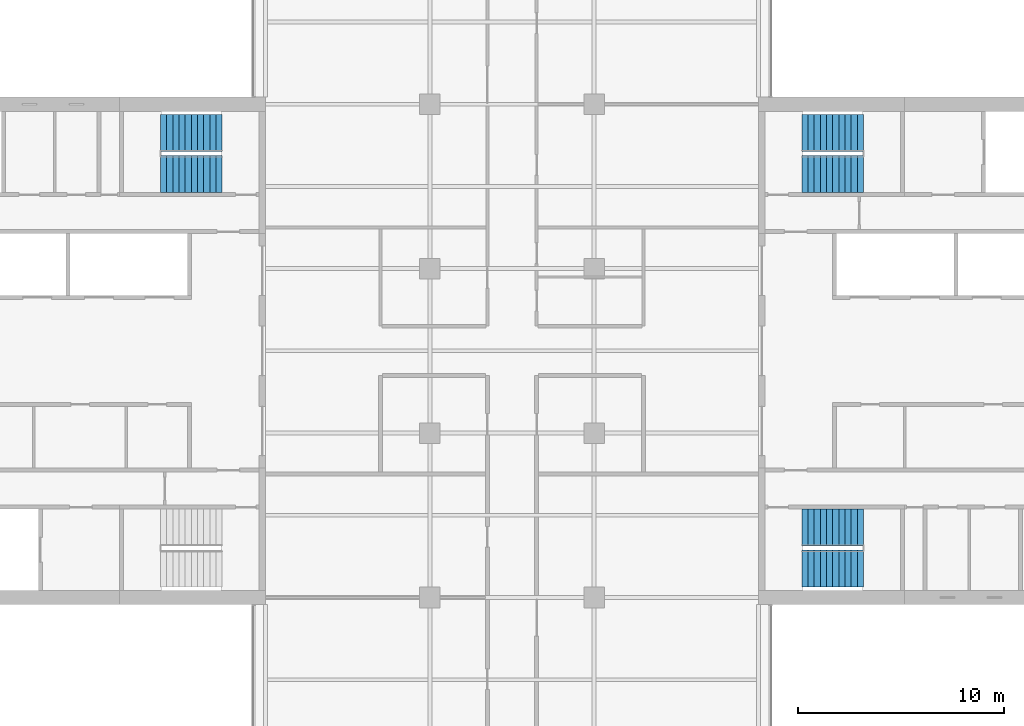
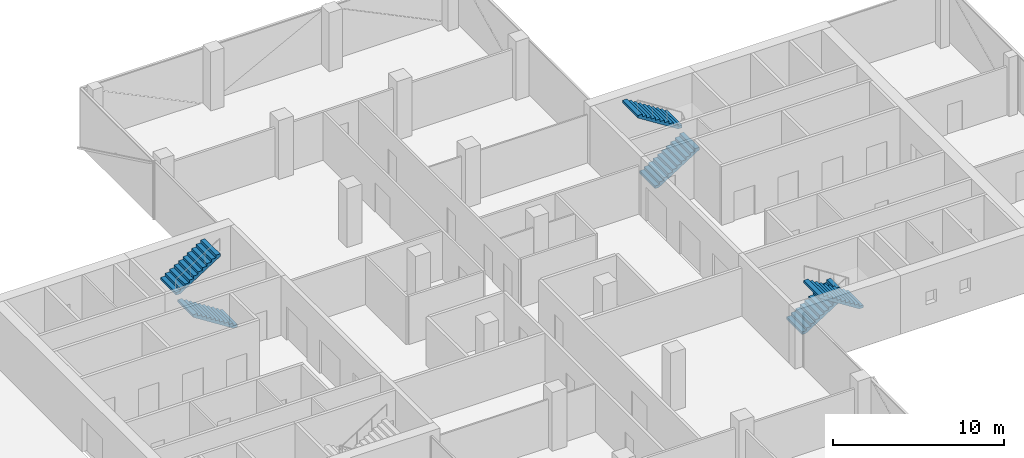
# One storey, part 17 of 22: 6 stair flights, 3 elements without a shape of their own.
"""IFC4 building model written with IfcOpenShell, lengths in metres."""

from ifc_helpers import new_model, si_unit, direction, frame, origin, place, context, subcontext, project, spatial, polyline, outline, extrude, material, type_object, element, aggregate, save


model = new_model("IFC4")

# Units and contexts
model_context = context("Model", 3, precision=1e-05, world=origin(), true_north=direction((0.0, 1.0)))
body_context = subcontext(model_context, "Body", "Model", "MODEL_VIEW")
ifc_project = project(units=[si_unit("LENGTHUNIT", "METRE"), si_unit("AREAUNIT", "SQUARE_METRE"), si_unit("VOLUMEUNIT", "CUBIC_METRE"), si_unit("PLANEANGLEUNIT", "RADIAN"), si_unit("MASSUNIT", "GRAM", prefix="KILO")], contexts=[model_context])

# Site, building, storey
site_placement = place(None, origin())
site = spatial("IfcSite", under=ifc_project, at=site_placement, CompositionType="ELEMENT")
building_placement = place(site_placement, origin())
building = spatial("IfcBuilding", under=site, at=building_placement, Name="Crosswind Convention Tower", CompositionType="ELEMENT")
storey_placement = place(building_placement, frame((0.0, 0.0, 146.300048828125)))
storey = spatial("IfcBuildingStorey", under=building, at=storey_placement, Name="L30", CompositionType="ELEMENT", Elevation=146.300048828125)

# Stair, stair flights
ifc_material = material(Name="Concrete C40/50", Category="concrete")
stair_type = type_object("IfcStairType", Name="Exit stair 1800 wide, 2 flights of 11 risers", PredefinedType="HALF_TURN_STAIR", material=ifc_material)
stair_1_placement = place(storey_placement, origin())
stair_1 = element("IfcStair", 1, at=stair_1_placement, inside=storey, type_object=stair_type, Name="Exit stair ST1 L30", ObjectType="ST5", PredefinedType="HALF_TURN_STAIR")
stair_flight_type = type_object("IfcStairFlightType", Name="Stair flight 1800 wide, 11 risers (SF4)", PredefinedType="STRAIGHT", material=ifc_material)
stair_flight_1_placement = place(storey_placement, frame((139.10009765625, 108.60009765625, 0.0), z_axis=(0.0, 0.0, 1.0), x_axis=(1.0, 0.0, 0.0)))
stair_flight_1 = element("IfcStairFlight", 2, at=stair_flight_1_placement, type_object=stair_flight_type, Name="ST1 flight 1", NumberOfRisers=11, NumberOfTreads=10, PredefinedType="STRAIGHT", RiserHeight=0.190909091, TreadLength=0.3, context=body_context, shape_type="SweptSolid", body=[
    extrude(outline(polyline([(0.0, 0.0), (0.0, 0.19091796875), (0.300048828125, 0.19091796875), (0.300048828125, 0.3818359375), (0.60009765625, 0.3818359375), (0.60009765625, 0.57275390625), (0.89990234375, 0.57275390625), (0.89990234375, 0.763671875), (1.199951171875, 0.763671875), (1.199951171875, 0.95458984375), (1.5, 0.95458984375), (1.5, 1.1455078125), (1.800048828125, 1.1455078125), (1.800048828125, 1.33642578125), (2.10009765625, 1.33642578125), (2.10009765625, 1.52734375), (2.39990234375, 1.52734375), (2.39990234375, 1.71826171875), (2.699951171875, 1.71826171875), (2.699951171875, 1.9091796875), (3.0, 1.9091796875), (3.0, 2.10009765625), (3.0, 1.7314453125), (0.279296875, 0.0), (0.0, 0.0)])), frame((0.0, 0.89990234375, 0.0), z_axis=(0.0, -1.0, 0.0), x_axis=(1.0, 0.0, 0.0)), (0.0, 0.0, 1.0), 1.800048828125),
])
stair_flight_2_placement = place(storey_placement, frame((142.10009765625, 110.60009765625, 2.099853515625), z_axis=(0.0, 0.0, 1.0), x_axis=(-1.0, 0.0, 0.0)))
stair_flight_2 = element("IfcStairFlight", 3, at=stair_flight_2_placement, type_object=stair_flight_type, Name="ST1 flight 2", NumberOfRisers=11, NumberOfTreads=10, PredefinedType="STRAIGHT", RiserHeight=0.190909091, TreadLength=0.3, context=body_context, shape_type="SweptSolid", body=[
    extrude(outline(polyline([(0.0, 0.0), (0.0, 0.19091796875), (0.300048828125, 0.19091796875), (0.300048828125, 0.3818359375), (0.60009765625, 0.3818359375), (0.60009765625, 0.57275390625), (0.89990234375, 0.57275390625), (0.89990234375, 0.763671875), (1.199951171875, 0.763671875), (1.199951171875, 0.95458984375), (1.5, 0.95458984375), (1.5, 1.1455078125), (1.800048828125, 1.1455078125), (1.800048828125, 1.33642578125), (2.10009765625, 1.33642578125), (2.10009765625, 1.52734375), (2.39990234375, 1.52734375), (2.39990234375, 1.71826171875), (2.699951171875, 1.71826171875), (2.699951171875, 1.9091796875), (3.0, 1.9091796875), (3.0, 2.10009765625), (3.0, 1.7314453125), (0.279296875, 0.0), (0.0, 0.0)])), frame((0.0, 0.89990234375, 0.0), z_axis=(0.0, -1.0, 0.0), x_axis=(1.0, 0.0, 0.0)), (0.0, 0.0, 1.0), 1.800048828125),
])
aggregate(stair_1, [stair_flight_1, stair_flight_2])

stair_2_placement = place(storey_placement, origin())
stair_2 = element("IfcStair", 4, at=stair_2_placement, inside=storey, type_object=stair_type, Name="Exit stair ST2 L30", ObjectType="ST5", PredefinedType="HALF_TURN_STAIR")
stair_flight_3_placement = place(storey_placement, frame((139.10009765625, 91.39990234375, 0.0), z_axis=(0.0, 0.0, 1.0), x_axis=(1.0, 0.0, 0.0)))
stair_flight_3 = element("IfcStairFlight", 5, at=stair_flight_3_placement, type_object=stair_flight_type, Name="ST2 flight 1", NumberOfRisers=11, NumberOfTreads=10, PredefinedType="STRAIGHT", RiserHeight=0.190909091, TreadLength=0.3, context=body_context, shape_type="SweptSolid", body=[
    extrude(outline(polyline([(0.0, 0.0), (0.0, 0.19091796875), (0.300048828125, 0.19091796875), (0.300048828125, 0.3818359375), (0.60009765625, 0.3818359375), (0.60009765625, 0.57275390625), (0.89990234375, 0.57275390625), (0.89990234375, 0.763671875), (1.199951171875, 0.763671875), (1.199951171875, 0.95458984375), (1.5, 0.95458984375), (1.5, 1.1455078125), (1.800048828125, 1.1455078125), (1.800048828125, 1.33642578125), (2.10009765625, 1.33642578125), (2.10009765625, 1.52734375), (2.39990234375, 1.52734375), (2.39990234375, 1.71826171875), (2.699951171875, 1.71826171875), (2.699951171875, 1.9091796875), (3.0, 1.9091796875), (3.0, 2.10009765625), (3.0, 1.7314453125), (0.279296875, 0.0), (0.0, 0.0)])), frame((0.0, 0.89990234375, 0.0), z_axis=(0.0, -1.0, 0.0), x_axis=(1.0, 0.0, 0.0)), (0.0, 0.0, 1.0), 1.800048828125),
])
stair_flight_4_placement = place(storey_placement, frame((142.10009765625, 89.39990234375, 2.099853515625), z_axis=(0.0, 0.0, 1.0), x_axis=(-1.0, 0.0, 0.0)))
stair_flight_4 = element("IfcStairFlight", 6, at=stair_flight_4_placement, type_object=stair_flight_type, Name="ST2 flight 2", NumberOfRisers=11, NumberOfTreads=10, PredefinedType="STRAIGHT", RiserHeight=0.190909091, TreadLength=0.3, context=body_context, shape_type="SweptSolid", body=[
    extrude(outline(polyline([(0.0, 0.0), (0.0, 0.19091796875), (0.300048828125, 0.19091796875), (0.300048828125, 0.3818359375), (0.60009765625, 0.3818359375), (0.60009765625, 0.57275390625), (0.89990234375, 0.57275390625), (0.89990234375, 0.763671875), (1.199951171875, 0.763671875), (1.199951171875, 0.95458984375), (1.5, 0.95458984375), (1.5, 1.1455078125), (1.800048828125, 1.1455078125), (1.800048828125, 1.33642578125), (2.10009765625, 1.33642578125), (2.10009765625, 1.52734375), (2.39990234375, 1.52734375), (2.39990234375, 1.71826171875), (2.699951171875, 1.71826171875), (2.699951171875, 1.9091796875), (3.0, 1.9091796875), (3.0, 2.10009765625), (3.0, 1.7314453125), (0.279296875, 0.0), (0.0, 0.0)])), frame((0.0, 0.89990234375, 0.0), z_axis=(0.0, -1.0, 0.0), x_axis=(1.0, 0.0, 0.0)), (0.0, 0.0, 1.0), 1.800048828125),
])
aggregate(stair_2, [stair_flight_3, stair_flight_4])

stair_3_placement = place(storey_placement, origin())
stair_3 = element("IfcStair", 7, at=stair_3_placement, inside=storey, type_object=stair_type, Name="Exit stair ST4 L30", ObjectType="ST5", PredefinedType="HALF_TURN_STAIR")
stair_flight_5_placement = place(storey_placement, frame((110.89990234375, 108.60009765625, 0.0), z_axis=(0.0, 0.0, 1.0), x_axis=(-1.0, 0.0, 0.0)))
stair_flight_5 = element("IfcStairFlight", 8, at=stair_flight_5_placement, type_object=stair_flight_type, Name="ST4 flight 1", NumberOfRisers=11, NumberOfTreads=10, PredefinedType="STRAIGHT", RiserHeight=0.190909091, TreadLength=0.3, context=body_context, shape_type="SweptSolid", body=[
    extrude(outline(polyline([(0.0, 0.0), (0.0, 0.19091796875), (0.300048828125, 0.19091796875), (0.300048828125, 0.3818359375), (0.60009765625, 0.3818359375), (0.60009765625, 0.57275390625), (0.89990234375, 0.57275390625), (0.89990234375, 0.763671875), (1.199951171875, 0.763671875), (1.199951171875, 0.95458984375), (1.5, 0.95458984375), (1.5, 1.1455078125), (1.800048828125, 1.1455078125), (1.800048828125, 1.33642578125), (2.10009765625, 1.33642578125), (2.10009765625, 1.52734375), (2.39990234375, 1.52734375), (2.39990234375, 1.71826171875), (2.699951171875, 1.71826171875), (2.699951171875, 1.9091796875), (3.0, 1.9091796875), (3.0, 2.10009765625), (3.0, 1.7314453125), (0.279296875, 0.0), (0.0, 0.0)])), frame((0.0, 0.89990234375, 0.0), z_axis=(0.0, -1.0, 0.0), x_axis=(1.0, 0.0, 0.0)), (0.0, 0.0, 1.0), 1.800048828125),
])
stair_flight_6_placement = place(storey_placement, frame((107.89990234375, 110.60009765625, 2.099853515625), z_axis=(0.0, 0.0, 1.0), x_axis=(1.0, 0.0, 0.0)))
stair_flight_6 = element("IfcStairFlight", 9, at=stair_flight_6_placement, type_object=stair_flight_type, Name="ST4 flight 2", NumberOfRisers=11, NumberOfTreads=10, PredefinedType="STRAIGHT", RiserHeight=0.190909091, TreadLength=0.3, context=body_context, shape_type="SweptSolid", body=[
    extrude(outline(polyline([(0.0, 0.0), (0.0, 0.19091796875), (0.300048828125, 0.19091796875), (0.300048828125, 0.3818359375), (0.60009765625, 0.3818359375), (0.60009765625, 0.57275390625), (0.89990234375, 0.57275390625), (0.89990234375, 0.763671875), (1.199951171875, 0.763671875), (1.199951171875, 0.95458984375), (1.5, 0.95458984375), (1.5, 1.1455078125), (1.800048828125, 1.1455078125), (1.800048828125, 1.33642578125), (2.10009765625, 1.33642578125), (2.10009765625, 1.52734375), (2.39990234375, 1.52734375), (2.39990234375, 1.71826171875), (2.699951171875, 1.71826171875), (2.699951171875, 1.9091796875), (3.0, 1.9091796875), (3.0, 2.10009765625), (3.0, 1.7314453125), (0.279296875, 0.0), (0.0, 0.0)])), frame((0.0, 0.89990234375, 0.0), z_axis=(0.0, -1.0, 0.0), x_axis=(1.0, 0.0, 0.0)), (0.0, 0.0, 1.0), 1.800048828125),
])
aggregate(stair_3, [stair_flight_5, stair_flight_6])

save(model, "model.ifc")
